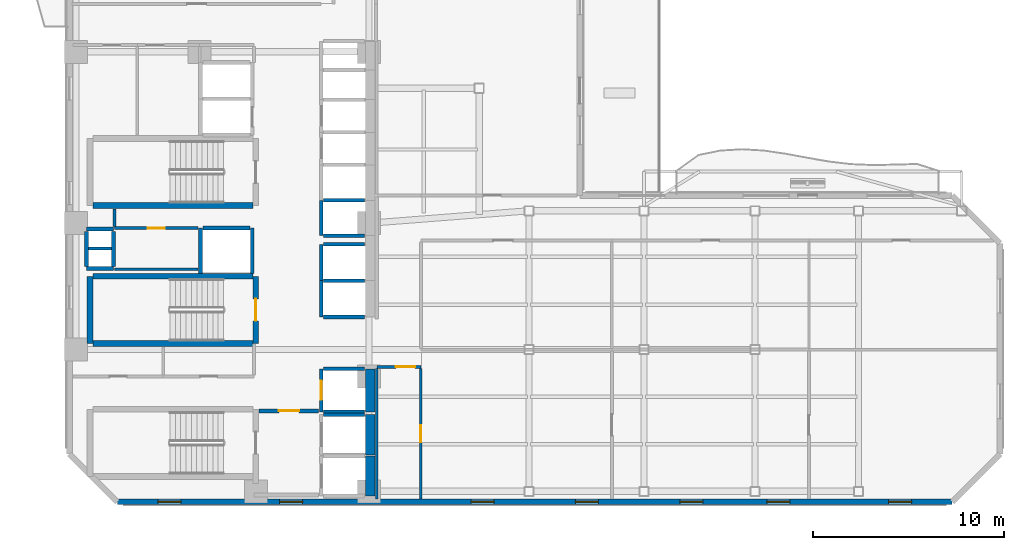
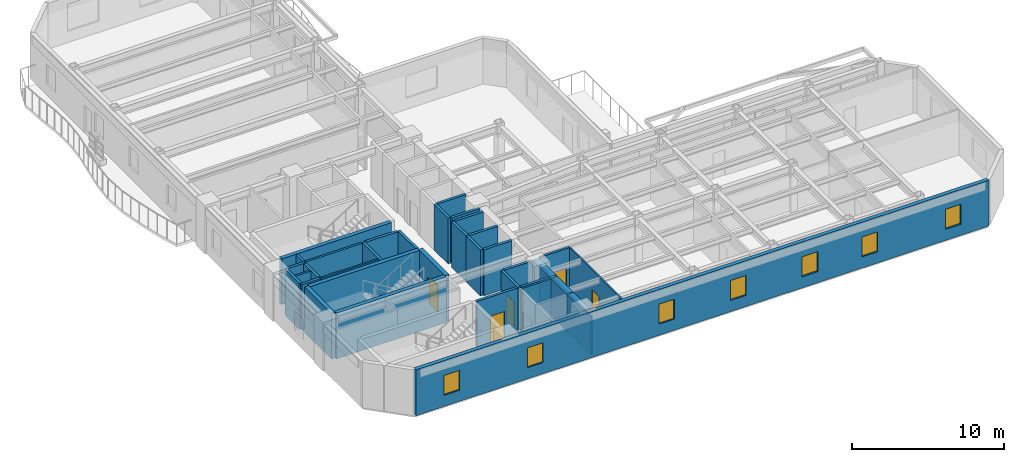
# One storey, part 3 of 11: 36 walls, 7 windows, 6 doors, 13 openings.
"""IFC4 building model written with IfcOpenShell, lengths in metres."""

from ifc_helpers import new_model, si_unit, direction, frame, frame_2d, origin, place, context, subcontext, project, spatial, rectangle, extrude, material, layer, layer_set, type_object, element, fill, save


model = new_model("IFC4")

# Units and contexts
model_context = context("Model", 3, precision=1e-05, world=origin(), true_north=direction((0.0, 1.0)))
body_context = subcontext(model_context, "Body", "Model", "MODEL_VIEW")
ifc_project = project(units=[si_unit("LENGTHUNIT", "METRE"), si_unit("AREAUNIT", "SQUARE_METRE"), si_unit("VOLUMEUNIT", "CUBIC_METRE"), si_unit("PLANEANGLEUNIT", "RADIAN"), si_unit("MASSUNIT", "GRAM", prefix="KILO")], contexts=[model_context])

# Site, building, storey
site_placement = place(None, origin())
site = spatial("IfcSite", under=ifc_project, at=site_placement, CompositionType="ELEMENT")
building_placement = place(site_placement, origin())
building = spatial("IfcBuilding", under=site, at=building_placement, Name="Mawjaban Terraces University", CompositionType="ELEMENT")
storey_placement = place(building_placement, frame((0.0, 0.0, 103.39990234375)))
storey = spatial("IfcBuildingStorey", under=building, at=storey_placement, Name="L24", CompositionType="ELEMENT", Elevation=103.39990234375)

# Walls
ifc_material_1 = material(Name="Concrete C60/75", Category="concrete")
ifc_layer_1 = layer(ifc_material_1, 0.5)
ifc_layer_set_1 = layer_set([ifc_layer_1], Name="Concrete C60/75")
wall_type_1 = type_object("IfcWallType", Name="CoreShearWall_500", PredefinedType="SHEAR", material=ifc_layer_set_1)
wall_1_placement = place(storey_placement, frame((37.699951171875, 0.300048828125, 0.0), z_axis=(0.0, 0.0, 1.0), x_axis=(0.0, 1.0, 0.0)))
element("IfcWall", 1, at=wall_1_placement, inside=storey, type_object=wall_type_1, Name="L24 Lift FL-1 Hoistway Wall East", PredefinedType="SHEAR", context=body_context, shape_type="SweptSolid", body=[
    extrude(rectangle(XDim=2.099853515625, YDim=0.5, at=frame_2d((1.0498046875, 0.0))), origin(), (0.0, 0.0, 1.0), 3.690185546875),
])
wall_2_placement = place(storey_placement, frame((37.699951171875, 2.449951171875, 0.0), z_axis=(0.0, 0.0, 1.0), x_axis=(0.0, 1.0, 0.0)))
element("IfcWall", 2, at=wall_2_placement, inside=storey, type_object=wall_type_1, Name="L24 Lift FL-2 Hoistway Wall East", PredefinedType="SHEAR", context=body_context, shape_type="SweptSolid", body=[
    extrude(rectangle(XDim=2.10009765625, YDim=0.5, at=frame_2d((1.050048828125, 0.0))), origin(), (0.0, 0.0, 1.0), 3.690185546875),
])
wall_3_placement = place(storey_placement, frame((37.699951171875, 4.699951171875, 0.0), z_axis=(0.0, 0.0, 1.0), x_axis=(0.0, 1.0, 0.0)))
element("IfcWall", 3, at=wall_3_placement, inside=storey, type_object=wall_type_1, Name="L24 Lift SL-1 Hoistway Wall East", PredefinedType="SHEAR", context=body_context, shape_type="SweptSolid", body=[
    extrude(rectangle(XDim=2.25, YDim=0.5, at=frame_2d((1.125, 0.0))), origin(), (0.0, 0.0, 1.0), 3.690185546875),
])

# Wall, opening, door
ifc_material_2 = material(Name="Fire-rated gypsum board on steel stud", Category="steel")
ifc_layer_2 = layer(ifc_material_2, 0.159912109375)
ifc_layer_set_2 = layer_set([ifc_layer_2], Name="Fire-rated gypsum board on steel stud")
wall_type_2 = type_object("IfcWallType", Name="CorridorPartition_160", PredefinedType="PARTITIONING", material=ifc_layer_set_2)
wall_4_placement = place(storey_placement, frame((24.35009765625, 14.300048828125, 0.0), z_axis=(0.0, 0.0, 1.0), x_axis=(1.0, 0.0, 0.0)))
wall_4 = element("IfcWall", 4, at=wall_4_placement, inside=storey, type_object=wall_type_2, Name="L24 Core Riser Access Passage Partition 2", PredefinedType="PARTITIONING", context=body_context, shape_type="SweptSolid", body=[
    extrude(rectangle(XDim=4.369873046875, YDim=0.159912109375, at=frame_2d((2.18505859375, 0.0))), origin(), (0.0, 0.0, 1.0), 3.690185546875),
])
opening_1_placement = place(wall_4_placement, frame((1.7451171875, 0.0, 0.0)))
opening_1 = element("IfcOpeningElement", 5, at=opening_1_placement, cuts=wall_4, Name="Opening ID-088", PredefinedType="OPENING", context=body_context, shape_type="SweptSolid", body=[
    extrude(rectangle(XDim=0.8798828125, YDim=2.10009765625, at=frame_2d((0.43994140625, 1.050048828125))), frame((0.0, 0.08984375, 0.0), z_axis=(0.0, -1.0, 0.0), x_axis=(1.0, 0.0, 0.0)), (0.0, 0.0, 1.0), 0.179931640625),
])
ifc_material_3 = material(Name="Powder-coated steel frame and solid acoustic timber leaf", Category="steel")
door_type_1 = type_object("IfcDoorType", Name="ToiletDoor_880x2100", OperationType="NOTDEFINED", PredefinedType="DOOR", material=ifc_material_3)
door_1_placement = place(opening_1_placement, origin())
door_1 = element("IfcDoor", 6, at=door_1_placement, inside=storey, type_object=door_type_1, Name="L24 Ablution Room Door", OperationType="SINGLE_SWING_LEFT", OverallHeight=2.10009765625, OverallWidth=0.8798828125, PredefinedType="DOOR", context=body_context, shape_type="SweptSolid", body=[
    extrude(rectangle(XDim=0.8798828125, YDim=2.10009765625, at=frame_2d((0.43994140625, 1.050048828125))), frame((0.0, 0.02490234375, 0.0), z_axis=(0.0, -1.0, 0.0), x_axis=(1.0, 0.0, 0.0)), (0.0, 0.0, 1.0), 0.050048828125),
])
fill(opening_1, door_1)

wall_5_placement = place(storey_placement, frame((38.050048828125, 7.050048828125, 0.0), z_axis=(0.0, 0.0, 1.0), x_axis=(1.0, 0.0, 0.0)))
wall_5 = element("IfcWall", 7, at=wall_5_placement, inside=storey, type_object=wall_type_2, Name="L24 Inner Gallery Link Corridor Partition 13", PredefinedType="PARTITIONING", context=body_context, shape_type="SweptSolid", body=[
    extrude(rectangle(XDim=2.300048828125, YDim=0.159912109375, at=frame_2d((1.14990234375, 0.0))), origin(), (0.0, 0.0, 1.0), 3.690185546875),
])
opening_2_placement = place(wall_5_placement, frame((1.0, 0.0, 0.0)))
opening_2 = element("IfcOpeningElement", 8, at=opening_2_placement, cuts=wall_5, Name="Opening ID-100", PredefinedType="OPENING", context=body_context, shape_type="SweptSolid", body=[
    extrude(rectangle(XDim=1.0, YDim=2.10009765625, at=frame_2d((0.5, 1.050048828125))), frame((0.0, 0.08984375, 0.0), z_axis=(0.0, -1.0, 0.0), x_axis=(1.0, 0.0, 0.0)), (0.0, 0.0, 1.0), 0.179931640625),
])
door_type_2 = type_object("IfcDoorType", Name="ClassroomDoor_1000x2100", OperationType="NOTDEFINED", PredefinedType="DOOR", material=ifc_material_3)
door_2_placement = place(opening_2_placement, origin())
door_2 = element("IfcDoor", 9, at=door_2_placement, inside=storey, type_object=door_type_2, Name="L24 Classroom 1 Door", OperationType="SINGLE_SWING_RIGHT", OverallHeight=2.10009765625, OverallWidth=1.0, PredefinedType="DOOR", context=body_context, shape_type="SweptSolid", body=[
    extrude(rectangle(XDim=1.0, YDim=2.10009765625, at=frame_2d((0.5, 1.050048828125))), frame((0.0, 0.02490234375, 0.0), z_axis=(0.0, -1.0, 0.0), x_axis=(1.0, 0.0, 0.0)), (0.0, 0.0, 1.0), 0.050048828125),
])
fill(opening_2, door_2)

# Wall
wall_6_placement = place(storey_placement, frame((24.35009765625, 15.2900390625, 0.0), z_axis=(0.0, 0.0, 1.0), x_axis=(0.0, -1.0, 0.0)))
element("IfcWall", 10, at=wall_6_placement, inside=storey, type_object=wall_type_2, Name="L24 Core Riser Access Passage Partition 22", PredefinedType="PARTITIONING", context=body_context, shape_type="SweptSolid", body=[
    extrude(rectangle(XDim=0.9150390625, YDim=0.159912109375, at=frame_2d((0.45751953125, 0.0))), origin(), (0.0, 0.0, 1.0), 3.690185546875),
])

# Wall, openings, windows
ifc_material_4 = material(Name="Insulated terracotta rainscreen on concrete backup C40/50", Category="masonry")
ifc_layer_3 = layer(ifc_material_4, 0.300048828125)
ifc_layer_set_3 = layer_set([ifc_layer_3], Name="Insulated terracotta rainscreen on concrete backup C40/50")
wall_type_3 = type_object("IfcWallType", Name="ExtTerracottaWall_300", PredefinedType="SOLIDWALL", material=ifc_layer_set_3)
wall_7_placement = place(storey_placement, frame((24.5, 0.0, 0.0), z_axis=(0.0, 0.0, 1.0), x_axis=(1.0, 0.0, 0.0)))
wall_7 = element("IfcWall", 11, at=wall_7_placement, inside=storey, type_object=wall_type_3, Name="L24 Exterior Terracotta Wall 1", PredefinedType="SOLIDWALL", context=body_context, shape_type="SweptSolid", body=[
    extrude(rectangle(XDim=43.60009765625, YDim=0.300048828125, at=frame_2d((21.800048828125, 0.0))), origin(), (0.0, 0.0, 1.0), 3.690185546875),
])
opening_3_placement = place(wall_7_placement, frame((2.125, 0.0, 0.89990234375)))
opening_3 = element("IfcOpeningElement", 12, at=opening_3_placement, cuts=wall_7, Name="Opening W-01", PredefinedType="OPENING", context=body_context, shape_type="SweptSolid", body=[
    extrude(rectangle(XDim=1.199951171875, YDim=1.60009765625, at=frame_2d((0.60009765625, 0.800048828125))), frame((0.0, 0.159912109375, 0.0), z_axis=(0.0, -1.0, 0.0), x_axis=(1.0, 0.0, 0.0)), (0.0, 0.0, 1.0), 0.320068359375),
])
opening_4_placement = place(wall_7_placement, frame((8.47509765625, 0.0, 0.89990234375)))
opening_4 = element("IfcOpeningElement", 13, at=opening_4_placement, cuts=wall_7, Name="Opening W-01", PredefinedType="OPENING", context=body_context, shape_type="SweptSolid", body=[
    extrude(rectangle(XDim=1.199951171875, YDim=1.60009765625, at=frame_2d((0.60009765625, 0.800048828125))), frame((0.0, 0.159912109375, 0.0), z_axis=(0.0, -1.0, 0.0), x_axis=(1.0, 0.0, 0.0)), (0.0, 0.0, 1.0), 0.320068359375),
])
opening_5_placement = place(wall_7_placement, frame((18.47509765625, 0.0, 0.89990234375)))
opening_5 = element("IfcOpeningElement", 14, at=opening_5_placement, cuts=wall_7, Name="Opening W-01", PredefinedType="OPENING", context=body_context, shape_type="SweptSolid", body=[
    extrude(rectangle(XDim=1.199951171875, YDim=1.60009765625, at=frame_2d((0.60009765625, 0.800048828125))), frame((0.0, 0.159912109375, 0.0), z_axis=(0.0, -1.0, 0.0), x_axis=(1.0, 0.0, 0.0)), (0.0, 0.0, 1.0), 0.320068359375),
])
opening_6_placement = place(wall_7_placement, frame((23.925048828125, 0.0, 0.89990234375)))
opening_6 = element("IfcOpeningElement", 15, at=opening_6_placement, cuts=wall_7, Name="Opening W-01", PredefinedType="OPENING", context=body_context, shape_type="SweptSolid", body=[
    extrude(rectangle(XDim=1.199951171875, YDim=1.60009765625, at=frame_2d((0.60009765625, 0.800048828125))), frame((0.0, 0.159912109375, 0.0), z_axis=(0.0, -1.0, 0.0), x_axis=(1.0, 0.0, 0.0)), (0.0, 0.0, 1.0), 0.320068359375),
])
opening_7_placement = place(wall_7_placement, frame((29.375, 0.0, 0.89990234375)))
opening_7 = element("IfcOpeningElement", 16, at=opening_7_placement, cuts=wall_7, Name="Opening W-01", PredefinedType="OPENING", context=body_context, shape_type="SweptSolid", body=[
    extrude(rectangle(XDim=1.199951171875, YDim=1.60009765625, at=frame_2d((0.60009765625, 0.800048828125))), frame((0.0, 0.159912109375, 0.0), z_axis=(0.0, -1.0, 0.0), x_axis=(1.0, 0.0, 0.0)), (0.0, 0.0, 1.0), 0.320068359375),
])
opening_8_placement = place(wall_7_placement, frame((33.925048828125, 0.0, 0.89990234375)))
opening_8 = element("IfcOpeningElement", 17, at=opening_8_placement, cuts=wall_7, Name="Opening W-01", PredefinedType="OPENING", context=body_context, shape_type="SweptSolid", body=[
    extrude(rectangle(XDim=1.199951171875, YDim=1.60009765625, at=frame_2d((0.60009765625, 0.800048828125))), frame((0.0, 0.159912109375, 0.0), z_axis=(0.0, -1.0, 0.0), x_axis=(1.0, 0.0, 0.0)), (0.0, 0.0, 1.0), 0.320068359375),
])
opening_9_placement = place(wall_7_placement, frame((40.27490234375, 0.0, 0.89990234375)))
opening_9 = element("IfcOpeningElement", 18, at=opening_9_placement, cuts=wall_7, Name="Opening W-01", PredefinedType="OPENING", context=body_context, shape_type="SweptSolid", body=[
    extrude(rectangle(XDim=1.199951171875, YDim=1.60009765625, at=frame_2d((0.60009765625, 0.800048828125))), frame((0.0, 0.159912109375, 0.0), z_axis=(0.0, -1.0, 0.0), x_axis=(1.0, 0.0, 0.0)), (0.0, 0.0, 1.0), 0.320068359375),
])
ifc_material_5 = material(Name="Low-E solar-control double glazing in thermally broken aluminium frame", Category="aluminium")
window_type = type_object("IfcWindowType", Name="Win_1200x1600", PartitioningType="SINGLE_PANEL", PredefinedType="WINDOW", material=ifc_material_5)
window_1_placement = place(opening_3_placement, origin())
window_1 = element("IfcWindow", 19, at=window_1_placement, inside=storey, type_object=window_type, Name="L24 Facade Window 1.1", OverallHeight=1.60009765625, OverallWidth=1.199951171875, PartitioningType="SINGLE_PANEL", PredefinedType="WINDOW", context=body_context, shape_type="SweptSolid", body=[
    extrude(rectangle(XDim=1.199951171875, YDim=1.60009765625, at=frame_2d((0.60009765625, 0.800048828125))), frame((0.0, 0.030029296875, 0.0), z_axis=(0.0, -1.0, 0.0), x_axis=(1.0, 0.0, 0.0)), (0.0, 0.0, 1.0), 0.06005859375),
])
fill(opening_3, window_1)
window_2_placement = place(opening_4_placement, origin())
window_2 = element("IfcWindow", 20, at=window_2_placement, inside=storey, type_object=window_type, Name="L24 Facade Window 1.2", OverallHeight=1.60009765625, OverallWidth=1.199951171875, PartitioningType="SINGLE_PANEL", PredefinedType="WINDOW", context=body_context, shape_type="SweptSolid", body=[
    extrude(rectangle(XDim=1.199951171875, YDim=1.60009765625, at=frame_2d((0.60009765625, 0.800048828125))), frame((0.0, 0.030029296875, 0.0), z_axis=(0.0, -1.0, 0.0), x_axis=(1.0, 0.0, 0.0)), (0.0, 0.0, 1.0), 0.06005859375),
])
fill(opening_4, window_2)
window_3_placement = place(opening_5_placement, origin())
window_3 = element("IfcWindow", 21, at=window_3_placement, inside=storey, type_object=window_type, Name="L24 Facade Window 1.4", OverallHeight=1.60009765625, OverallWidth=1.199951171875, PartitioningType="SINGLE_PANEL", PredefinedType="WINDOW", context=body_context, shape_type="SweptSolid", body=[
    extrude(rectangle(XDim=1.199951171875, YDim=1.60009765625, at=frame_2d((0.60009765625, 0.800048828125))), frame((0.0, 0.030029296875, 0.0), z_axis=(0.0, -1.0, 0.0), x_axis=(1.0, 0.0, 0.0)), (0.0, 0.0, 1.0), 0.06005859375),
])
fill(opening_5, window_3)
window_4_placement = place(opening_6_placement, origin())
window_4 = element("IfcWindow", 22, at=window_4_placement, inside=storey, type_object=window_type, Name="L24 Facade Window 1.5", OverallHeight=1.60009765625, OverallWidth=1.199951171875, PartitioningType="SINGLE_PANEL", PredefinedType="WINDOW", context=body_context, shape_type="SweptSolid", body=[
    extrude(rectangle(XDim=1.199951171875, YDim=1.60009765625, at=frame_2d((0.60009765625, 0.800048828125))), frame((0.0, 0.030029296875, 0.0), z_axis=(0.0, -1.0, 0.0), x_axis=(1.0, 0.0, 0.0)), (0.0, 0.0, 1.0), 0.06005859375),
])
fill(opening_6, window_4)
window_5_placement = place(opening_7_placement, origin())
window_5 = element("IfcWindow", 23, at=window_5_placement, inside=storey, type_object=window_type, Name="L24 Facade Window 1.6", OverallHeight=1.60009765625, OverallWidth=1.199951171875, PartitioningType="SINGLE_PANEL", PredefinedType="WINDOW", context=body_context, shape_type="SweptSolid", body=[
    extrude(rectangle(XDim=1.199951171875, YDim=1.60009765625, at=frame_2d((0.60009765625, 0.800048828125))), frame((0.0, 0.030029296875, 0.0), z_axis=(0.0, -1.0, 0.0), x_axis=(1.0, 0.0, 0.0)), (0.0, 0.0, 1.0), 0.06005859375),
])
fill(opening_7, window_5)
window_6_placement = place(opening_8_placement, origin())
window_6 = element("IfcWindow", 24, at=window_6_placement, inside=storey, type_object=window_type, Name="L24 Facade Window 1.7", OverallHeight=1.60009765625, OverallWidth=1.199951171875, PartitioningType="SINGLE_PANEL", PredefinedType="WINDOW", context=body_context, shape_type="SweptSolid", body=[
    extrude(rectangle(XDim=1.199951171875, YDim=1.60009765625, at=frame_2d((0.60009765625, 0.800048828125))), frame((0.0, 0.030029296875, 0.0), z_axis=(0.0, -1.0, 0.0), x_axis=(1.0, 0.0, 0.0)), (0.0, 0.0, 1.0), 0.06005859375),
])
fill(opening_8, window_6)
window_7_placement = place(opening_9_placement, origin())
window_7 = element("IfcWindow", 25, at=window_7_placement, inside=storey, type_object=window_type, Name="L24 Facade Window 1.8", OverallHeight=1.60009765625, OverallWidth=1.199951171875, PartitioningType="SINGLE_PANEL", PredefinedType="WINDOW", context=body_context, shape_type="SweptSolid", body=[
    extrude(rectangle(XDim=1.199951171875, YDim=1.60009765625, at=frame_2d((0.60009765625, 0.800048828125))), frame((0.0, 0.030029296875, 0.0), z_axis=(0.0, -1.0, 0.0), x_axis=(1.0, 0.0, 0.0)), (0.0, 0.0, 1.0), 0.06005859375),
])
fill(opening_9, window_7)

# Wall
ifc_material_6 = material(Name="Concrete C40/50", Category="concrete")
ifc_layer_4 = layer(ifc_material_6, 0.199951171875)
ifc_layer_set_4 = layer_set([ifc_layer_4], Name="Concrete C40/50")
wall_type_4 = type_object("IfcWallType", Name="FireLobbyWall_200", PredefinedType="SOLIDWALL", material=ifc_layer_set_4)
wall_8_placement = place(storey_placement, frame((37.419921875, 4.550048828125, 0.0), z_axis=(0.0, 0.0, 1.0), x_axis=(-1.0, 0.0, 0.0)))
element("IfcWall", 26, at=wall_8_placement, inside=storey, type_object=wall_type_4, Name="L24 Lift FL-2 Hoistway Wall North", PredefinedType="SOLIDWALL", context=body_context, shape_type="SweptSolid", body=[
    extrude(rectangle(XDim=2.139892578125, YDim=0.199951171875, at=frame_2d((1.06982421875, 0.0))), origin(), (0.0, 0.0, 1.0), 3.690185546875),
])

# Wall, opening, door
wall_9_placement = place(storey_placement, frame((35.14990234375, 6.949951171875, 0.0), z_axis=(0.0, 0.0, 1.0), x_axis=(0.0, -1.0, 0.0)))
wall_9 = element("IfcWall", 27, at=wall_9_placement, inside=storey, type_object=wall_type_4, Name="L24 Lift SL-1 Hoistway Wall West", PredefinedType="SOLIDWALL", context=body_context, shape_type="SweptSolid", body=[
    extrude(rectangle(XDim=2.25, YDim=0.199951171875, at=frame_2d((1.125, 0.0))), origin(), (0.0, 0.0, 1.0), 3.690185546875),
])
opening_10_placement = place(wall_9_placement, frame((0.625, 0.0, 0.0)))
opening_10 = element("IfcOpeningElement", 28, at=opening_10_placement, cuts=wall_9, Name="Opening LD-SL-1", PredefinedType="OPENING", context=body_context, shape_type="SweptSolid", body=[
    extrude(rectangle(XDim=1.0, YDim=2.10009765625, at=frame_2d((0.5, 1.050048828125))), frame((0.0, 0.10986328125, 0.0), z_axis=(0.0, -1.0, 0.0), x_axis=(1.0, 0.0, 0.0)), (0.0, 0.0, 1.0), 0.219970703125),
])
ifc_material_7 = material(Name="Powder-coated steel frame and fire-rated steel-faced leaf", Category="steel")
door_type_3 = type_object("IfcDoorType", Name="LiftLandingSliding_1000x2100", OperationType="NOTDEFINED", PredefinedType="DOOR", material=ifc_material_7)
door_3_placement = place(opening_10_placement, origin())
door_3 = element("IfcDoor", 29, at=door_3_placement, inside=storey, type_object=door_type_3, Name="L24 Lift SL-1 Sliding Landing Door", OperationType="DOUBLE_DOOR_SLIDING", OverallHeight=2.10009765625, OverallWidth=1.0, PredefinedType="DOOR", context=body_context, shape_type="SweptSolid", body=[
    extrude(rectangle(XDim=1.0, YDim=2.10009765625, at=frame_2d((0.5, 1.050048828125))), frame((0.0, 0.02490234375, 0.0), z_axis=(0.0, -1.0, 0.0), x_axis=(1.0, 0.0, 0.0)), (0.0, 0.0, 1.0), 0.050048828125),
])
fill(opening_10, door_3)

# Walls
for number, where, z_axis, x_axis, name in (
    (30, (35.280029296875, 4.699951171875, 0.0), (0.0, 0.0, 1.0), (1.0, 0.0, 0.0), "L24 Lift SL-1 Hoistway Wall South"),
    (31, (37.419921875, 6.949951171875, 0.0), (0.0, 0.0, 1.0), (-1.0, 0.0, 0.0), "L24 Lift SL-1 Hoistway Wall North"),
):
    element("IfcWall", number, at=place(storey_placement, frame(where, z_axis=z_axis, x_axis=x_axis)), inside=storey, type_object=wall_type_4, Name=name, PredefinedType="SOLIDWALL", context=body_context, shape_type="SweptSolid", body=[
        extrude(rectangle(XDim=2.139892578125, YDim=0.199951171875, at=frame_2d((1.06982421875, 0.0))), origin(), (0.0, 0.0, 1.0), 3.690185546875),
    ])
wall_10_placement = place(storey_placement, frame((35.14990234375, 11.550048828125, 0.0), z_axis=(0.0, 0.0, 1.0), x_axis=(0.0, -1.0, 0.0)))
element("IfcWall", 32, at=wall_10_placement, inside=storey, type_object=wall_type_4, Name="L24 Lift PL-H1 Hoistway Wall West", PredefinedType="SOLIDWALL", context=body_context, shape_type="SweptSolid", body=[
    extrude(rectangle(XDim=1.900146484375, YDim=0.199951171875, at=frame_2d((0.9501953125, 0.0))), origin(), (0.0, 0.0, 1.0), 3.690185546875),
])
for number, where, z_axis, x_axis, name in (
    (33, (35.280029296875, 9.64990234375, 0.0), (0.0, 0.0, 1.0), (1.0, 0.0, 0.0), "L24 Lift PL-H1 Hoistway Wall South"),
    (34, (37.419921875, 11.550048828125, 0.0), (0.0, 0.0, 1.0), (-1.0, 0.0, 0.0), "L24 Lift PL-H1 Hoistway Wall North"),
):
    element("IfcWall", number, at=place(storey_placement, frame(where, z_axis=z_axis, x_axis=x_axis)), inside=storey, type_object=wall_type_4, Name=name, PredefinedType="SOLIDWALL", context=body_context, shape_type="SweptSolid", body=[
        extrude(rectangle(XDim=2.139892578125, YDim=0.199951171875, at=frame_2d((1.06982421875, 0.0))), origin(), (0.0, 0.0, 1.0), 3.690185546875),
    ])
wall_11_placement = place(storey_placement, frame((35.14990234375, 13.449951171875, 0.0), z_axis=(0.0, 0.0, 1.0), x_axis=(0.0, -1.0, 0.0)))
element("IfcWall", 35, at=wall_11_placement, inside=storey, type_object=wall_type_4, Name="L24 Lift PL-H2 Hoistway Wall West", PredefinedType="SOLIDWALL", context=body_context, shape_type="SweptSolid", body=[
    extrude(rectangle(XDim=1.89990234375, YDim=0.199951171875, at=frame_2d((0.949951171875, 0.0))), origin(), (0.0, 0.0, 1.0), 3.690185546875),
])
wall_12_placement = place(storey_placement, frame((37.419921875, 13.449951171875, 0.0), z_axis=(0.0, 0.0, 1.0), x_axis=(-1.0, 0.0, 0.0)))
element("IfcWall", 36, at=wall_12_placement, inside=storey, type_object=wall_type_4, Name="L24 Lift PL-H2 Hoistway Wall North", PredefinedType="SOLIDWALL", context=body_context, shape_type="SweptSolid", body=[
    extrude(rectangle(XDim=2.139892578125, YDim=0.199951171875, at=frame_2d((1.06982421875, 0.0))), origin(), (0.0, 0.0, 1.0), 3.690185546875),
])
for number, where, z_axis, x_axis, name in (
    (37, (28.85009765625, 14.300048828125, 0.0), (0.0, 0.0, 1.0), (0.0, -1.0, 0.0), "L24 Lift PL-H3 Hoistway Wall West"),
    (38, (31.550048828125, 11.929931640625, 0.0), (0.0, 0.0, 1.0), (0.0, 1.0, 0.0), "L24 Lift PL-H3 Hoistway Wall East"),
):
    element("IfcWall", number, at=place(storey_placement, frame(where, z_axis=z_axis, x_axis=x_axis)), inside=storey, type_object=wall_type_4, Name=name, PredefinedType="SOLIDWALL", context=body_context, shape_type="SweptSolid", body=[
        extrude(rectangle(XDim=2.3701171875, YDim=0.199951171875, at=frame_2d((1.18505859375, 0.0))), origin(), (0.0, 0.0, 1.0), 3.690185546875),
    ])
wall_13_placement = place(storey_placement, frame((31.419921875, 14.300048828125, 0.0), z_axis=(0.0, 0.0, 1.0), x_axis=(-1.0, 0.0, 0.0)))
element("IfcWall", 39, at=wall_13_placement, inside=storey, type_object=wall_type_4, Name="L24 Lift PL-H3 Hoistway Wall North", PredefinedType="SOLIDWALL", context=body_context, shape_type="SweptSolid", body=[
    extrude(rectangle(XDim=2.43994140625, YDim=0.199951171875, at=frame_2d((1.219970703125, 0.0))), origin(), (0.0, 0.0, 1.0), 3.690185546875),
])
wall_14_placement = place(storey_placement, frame((35.14990234375, 15.75, 0.0), z_axis=(0.0, 0.0, 1.0), x_axis=(0.0, -1.0, 0.0)))
element("IfcWall", 40, at=wall_14_placement, inside=storey, type_object=wall_type_4, Name="L24 Lift OL-1 Hoistway Wall West", PredefinedType="SOLIDWALL", context=body_context, shape_type="SweptSolid", body=[
    extrude(rectangle(XDim=1.85009765625, YDim=0.199951171875, at=frame_2d((0.925048828125, 0.0))), origin(), (0.0, 0.0, 1.0), 3.690185546875),
])
for number, where, z_axis, x_axis, name in (
    (41, (35.280029296875, 13.89990234375, 0.0), (0.0, 0.0, 1.0), (1.0, 0.0, 0.0), "L24 Lift OL-1 Hoistway Wall South"),
    (42, (37.419921875, 15.75, 0.0), (0.0, 0.0, 1.0), (-1.0, 0.0, 0.0), "L24 Lift OL-1 Hoistway Wall North"),
):
    element("IfcWall", number, at=place(storey_placement, frame(where, z_axis=z_axis, x_axis=x_axis)), inside=storey, type_object=wall_type_4, Name=name, PredefinedType="SOLIDWALL", context=body_context, shape_type="SweptSolid", body=[
        extrude(rectangle(XDim=2.139892578125, YDim=0.199951171875, at=frame_2d((1.06982421875, 0.0))), origin(), (0.0, 0.0, 1.0), 3.690185546875),
    ])
for number, where, z_axis, x_axis, name in (
    (43, (22.89990234375, 14.25, 0.0), (0.0, 0.0, 1.0), (1.0, 0.0, 0.0), "L24 MEP Riser Shaft Wall N"),
    (44, (22.89990234375, 12.179931640625, 0.0), (0.0, 0.0, 1.0), (1.0, 0.0, 0.0), "L24 MEP Riser Shaft Wall S"),
):
    element("IfcWall", number, at=place(storey_placement, frame(where, z_axis=z_axis, x_axis=x_axis)), inside=storey, type_object=wall_type_4, Name=name, PredefinedType="SOLIDWALL", context=body_context, shape_type="SweptSolid", body=[
        extrude(rectangle(XDim=1.400146484375, YDim=0.199951171875, at=frame_2d((0.7001953125, 0.0))), origin(), (0.0, 0.0, 1.0), 3.690185546875),
    ])
for number, where, z_axis, x_axis, name in (
    (45, (24.300048828125, 12.300048828125, 0.0), (0.0, 0.0, 1.0), (0.0, 1.0, 0.0), "L24 MEP Riser Shaft Wall E"),
    (46, (22.89990234375, 12.300048828125, 0.0), (0.0, 0.0, 1.0), (0.0, 1.0, 0.0), "L24 MEP Riser Shaft Wall W"),
):
    element("IfcWall", number, at=place(storey_placement, frame(where, z_axis=z_axis, x_axis=x_axis)), inside=storey, type_object=wall_type_4, Name=name, PredefinedType="SOLIDWALL", context=body_context, shape_type="SweptSolid", body=[
        extrude(rectangle(XDim=1.829833984375, YDim=0.199951171875, at=frame_2d((0.9150390625, 0.0))), origin(), (0.0, 0.0, 1.0), 3.690185546875),
    ])

# Wall, opening, door
wall_15_placement = place(storey_placement, frame((35.02001953125, 4.75, 0.0), z_axis=(0.0, 0.0, 1.0), x_axis=(-1.0, 0.0, 0.0)))
wall_15 = element("IfcWall", 47, at=wall_15_placement, inside=storey, type_object=wall_type_4, Name="L24 Firefighting Lift Lobby Partition 9", PredefinedType="SOLIDWALL", context=body_context, shape_type="SweptSolid", body=[
    extrude(rectangle(XDim=3.110107421875, YDim=0.199951171875, at=frame_2d((1.55517578125, 0.0))), origin(), (0.0, 0.0, 1.0), 3.690185546875),
])
opening_11_placement = place(wall_15_placement, frame((1.030029296875, 0.0, 0.0)))
opening_11 = element("IfcOpeningElement", 48, at=opening_11_placement, cuts=wall_15, Name="Opening FD-105", PredefinedType="OPENING", context=body_context, shape_type="SweptSolid", body=[
    extrude(rectangle(XDim=1.050048828125, YDim=2.14990234375, at=frame_2d((0.52490234375, 1.074951171875))), frame((0.0, 0.10986328125, 0.0), z_axis=(0.0, -1.0, 0.0), x_axis=(1.0, 0.0, 0.0)), (0.0, 0.0, 1.0), 0.219970703125),
])
door_type_4 = type_object("IfcDoorType", Name="FireLobbyDoor_1050x2150", OperationType="NOTDEFINED", PredefinedType="DOOR", material=ifc_material_7)
door_4_placement = place(opening_11_placement, origin())
door_4 = element("IfcDoor", 49, at=door_4_placement, inside=storey, type_object=door_type_4, Name="L24 Firefighting Lift Lobby Door", OperationType="SINGLE_SWING_RIGHT", OverallHeight=2.14990234375, OverallWidth=1.050048828125, PredefinedType="DOOR", context=body_context, shape_type="SweptSolid", body=[
    extrude(rectangle(XDim=1.050048828125, YDim=2.14990234375, at=frame_2d((0.52490234375, 1.074951171875))), frame((0.0, 0.02490234375, 0.0), z_axis=(0.0, -1.0, 0.0), x_axis=(1.0, 0.0, 0.0)), (0.0, 0.0, 1.0), 0.050048828125),
])
fill(opening_11, door_4)

# Walls
ifc_material_8 = material(Name="Moisture-resistant gypsum board on steel stud", Category="steel")
ifc_layer_5 = layer(ifc_material_8, 0.14501953125)
ifc_layer_set_5 = layer_set([ifc_layer_5], Name="Moisture-resistant gypsum board on steel stud")
wall_type_5 = type_object("IfcWallType", Name="LabPartition_145", PredefinedType="PARTITIONING", material=ifc_layer_set_5)
wall_16_placement = place(storey_placement, frame((23.010009765625, 13.22509765625, 0.0), z_axis=(0.0, 0.0, 1.0), x_axis=(1.0, 0.0, 0.0)))
element("IfcWall", 50, at=wall_16_placement, inside=storey, type_object=wall_type_5, Name="L24 MEP Riser Shaft Wall M", PredefinedType="PARTITIONING", context=body_context, shape_type="SweptSolid", body=[
    extrude(rectangle(XDim=1.179931640625, YDim=0.14501953125, at=frame_2d((0.58984375, 0.0))), origin(), (0.0, 0.0, 1.0), 3.690185546875),
])
ifc_material_9 = material(Name="Gypsum plasterboard on steel stud", Category="steel")
ifc_layer_6 = layer(ifc_material_9, 0.125)
ifc_layer_set_6 = layer_set([ifc_layer_6], Name="Gypsum plasterboard on steel stud")
wall_type_6 = type_object("IfcWallType", Name="OfficePartition_125", PredefinedType="PARTITIONING", material=ifc_layer_set_6)
wall_17_placement = place(storey_placement, frame((38.050048828125, 6.97509765625, 0.0), z_axis=(0.0, 0.0, 1.0), x_axis=(0.0, -1.0, 0.0)))
element("IfcWall", 51, at=wall_17_placement, inside=storey, type_object=wall_type_6, Name="L24 Classroom 1 Partition 33", PredefinedType="PARTITIONING", context=body_context, shape_type="SweptSolid", body=[
    extrude(rectangle(XDim=6.830078125, YDim=0.125, at=frame_2d((3.4150390625, 0.0))), origin(), (0.0, 0.0, 1.0), 3.07421875),
])

# Wall, opening, door
ifc_material_10 = material(Name="Acoustic operable panel partition", Category="masonry")
ifc_layer_7 = layer(ifc_material_10, 0.110107421875)
ifc_layer_set_7 = layer_set([ifc_layer_7], Name="Acoustic operable panel partition")
wall_type_7 = type_object("IfcWallType", Name="OperableSeminarWall_110", PredefinedType="MOVABLE", material=ifc_layer_set_7)
wall_18_placement = place(storey_placement, frame((40.35009765625, 0.14501953125, 0.0), z_axis=(0.0, 0.0, 1.0), x_axis=(0.0, 1.0, 0.0)))
wall_18 = element("IfcWall", 52, at=wall_18_placement, inside=storey, type_object=wall_type_7, Name="L24 Classroom 1 Partition 36", PredefinedType="MOVABLE", context=body_context, shape_type="SweptSolid", body=[
    extrude(rectangle(XDim=6.830078125, YDim=0.110107421875, at=frame_2d((3.4150390625, 0.0))), origin(), (0.0, 0.0, 1.0), 3.690185546875),
])
opening_12_placement = place(wall_18_placement, frame((2.965087890625, 0.0, 0.0)))
opening_12 = element("IfcOpeningElement", 53, at=opening_12_placement, cuts=wall_18, Name="Opening ID-090", PredefinedType="OPENING", context=body_context, shape_type="SweptSolid", body=[
    extrude(rectangle(XDim=0.89990234375, YDim=2.10009765625, at=frame_2d((0.449951171875, 1.050048828125))), frame((0.0, 0.06494140625, 0.0), z_axis=(0.0, -1.0, 0.0), x_axis=(1.0, 0.0, 0.0)), (0.0, 0.0, 1.0), 0.130126953125),
])
door_type_5 = type_object("IfcDoorType", Name="OfficeDoor_900x2100", OperationType="NOTDEFINED", PredefinedType="DOOR", material=ifc_material_3)
door_5_placement = place(opening_12_placement, origin())
door_5 = element("IfcDoor", 54, at=door_5_placement, inside=storey, type_object=door_type_5, Name="L24 Seminar Room 2 Door", OperationType="SINGLE_SWING_LEFT", OverallHeight=2.10009765625, OverallWidth=0.89990234375, PredefinedType="DOOR", context=body_context, shape_type="SweptSolid", body=[
    extrude(rectangle(XDim=0.89990234375, YDim=2.10009765625, at=frame_2d((0.449951171875, 1.050048828125))), frame((0.0, 0.02490234375, 0.0), z_axis=(0.0, -1.0, 0.0), x_axis=(1.0, 0.0, 0.0)), (0.0, 0.0, 1.0), 0.050048828125),
])
fill(opening_12, door_5)

# Walls
ifc_layer_8 = layer(ifc_material_1, 0.300048828125)
ifc_layer_set_8 = layer_set([ifc_layer_8], Name="Concrete C60/75")
wall_type_8 = type_object("IfcWallType", Name="StairShaftWall_300", PredefinedType="SHEAR", material=ifc_layer_set_8)
for number, where, z_axis, x_axis, name in (
    (55, (23.219970703125, 15.469970703125, 0.0), (0.0, 0.0, 1.0), (1.0, 0.0, 0.0), "L24 ST-2 Stair Shaft Wall 3"),
    (56, (31.580078125, 11.780029296875, 0.0), (0.0, 0.0, 1.0), (-1.0, 0.0, 0.0), "L24 ST-3 Stair Shaft Wall 1"),
):
    element("IfcWall", number, at=place(storey_placement, frame(where, z_axis=z_axis, x_axis=x_axis)), inside=storey, type_object=wall_type_8, Name=name, PredefinedType="SHEAR", context=body_context, shape_type="SweptSolid", body=[
        extrude(rectangle(XDim=8.360107421875, YDim=0.300048828125, at=frame_2d((4.18017578125, 0.0))), origin(), (0.0, 0.0, 1.0), 3.690185546875),
    ])
wall_19_placement = place(storey_placement, frame((23.070068359375, 11.780029296875, 0.0), z_axis=(0.0, 0.0, 1.0), x_axis=(0.0, -1.0, 0.0)))
element("IfcWall", 57, at=wall_19_placement, inside=storey, type_object=wall_type_8, Name="L24 ST-3 Stair Shaft Wall 2", PredefinedType="SHEAR", context=body_context, shape_type="SweptSolid", body=[
    extrude(rectangle(XDim=3.510009765625, YDim=0.300048828125, at=frame_2d((1.7548828125, 0.0))), origin(), (0.0, 0.0, 1.0), 3.690185546875),
])
wall_20_placement = place(storey_placement, frame((23.219970703125, 8.27001953125, 0.0), z_axis=(0.0, 0.0, 1.0), x_axis=(1.0, 0.0, 0.0)))
element("IfcWall", 58, at=wall_20_placement, inside=storey, type_object=wall_type_8, Name="L24 ST-3 Stair Shaft Wall 3", PredefinedType="SHEAR", context=body_context, shape_type="SweptSolid", body=[
    extrude(rectangle(XDim=8.360107421875, YDim=0.300048828125, at=frame_2d((4.18017578125, 0.0))), origin(), (0.0, 0.0, 1.0), 3.690185546875),
])

# Wall, opening, door
wall_21_placement = place(storey_placement, frame((31.72998046875, 8.27001953125, 0.0), z_axis=(0.0, 0.0, 1.0), x_axis=(0.0, 1.0, 0.0)))
wall_21 = element("IfcWall", 59, at=wall_21_placement, inside=storey, type_object=wall_type_8, Name="L24 ST-3 Stair Shaft Wall 4", PredefinedType="SHEAR", context=body_context, shape_type="SweptSolid", body=[
    extrude(rectangle(XDim=3.510009765625, YDim=0.300048828125, at=frame_2d((1.7548828125, 0.0))), origin(), (0.0, 0.0, 1.0), 3.690185546875),
])
opening_13_placement = place(wall_21_placement, frame((1.179931640625, 0.0, 0.0)))
opening_13 = element("IfcOpeningElement", 60, at=opening_13_placement, cuts=wall_21, Name="Opening FD-115", PredefinedType="OPENING", context=body_context, shape_type="SweptSolid", body=[
    extrude(rectangle(XDim=1.14990234375, YDim=2.14990234375, at=frame_2d((0.574951171875, 1.074951171875))), frame((0.0, 0.159912109375, 0.0), z_axis=(0.0, -1.0, 0.0), x_axis=(1.0, 0.0, 0.0)), (0.0, 0.0, 1.0), 0.320068359375),
])
door_type_6 = type_object("IfcDoorType", Name="FireStairDoor_1150x2150", OperationType="NOTDEFINED", PredefinedType="DOOR", material=ifc_material_7)
door_6_placement = place(opening_13_placement, origin())
door_6 = element("IfcDoor", 61, at=door_6_placement, inside=storey, type_object=door_type_6, Name="L24 ST-3 Pressurised Stair Fire Door", OperationType="SINGLE_SWING_LEFT", OverallHeight=2.14990234375, OverallWidth=1.14990234375, PredefinedType="DOOR", context=body_context, shape_type="SweptSolid", body=[
    extrude(rectangle(XDim=1.14990234375, YDim=2.14990234375, at=frame_2d((0.574951171875, 1.074951171875))), frame((0.0, 0.02490234375, 0.0), z_axis=(0.0, -1.0, 0.0), x_axis=(1.0, 0.0, 0.0)), (0.0, 0.0, 1.0), 0.050048828125),
])
fill(opening_13, door_6)

# Wall
ifc_material_11 = material(Name="Cement-board wet-room partition", Category="masonry")
ifc_layer_9 = layer(ifc_material_11, 0.135009765625)
ifc_layer_set_9 = layer_set([ifc_layer_9], Name="Cement-board wet-room partition")
wall_type_9 = type_object("IfcWallType", Name="WetRoomPartition_135", PredefinedType="PARTITIONING", material=ifc_layer_set_9)
wall_22_placement = place(storey_placement, frame((24.35009765625, 12.14990234375, 0.0), z_axis=(0.0, 0.0, 1.0), x_axis=(1.0, 0.0, 0.0)))
element("IfcWall", 62, at=wall_22_placement, inside=storey, type_object=wall_type_9, Name="L24 Ablution Room Partition 1", PredefinedType="PARTITIONING", context=body_context, shape_type="SweptSolid", body=[
    extrude(rectangle(XDim=4.369873046875, YDim=0.135009765625, at=frame_2d((2.18505859375, 0.0))), origin(), (0.0, 0.0, 1.0), 3.690185546875),
])

save(model, "model.ifc")
